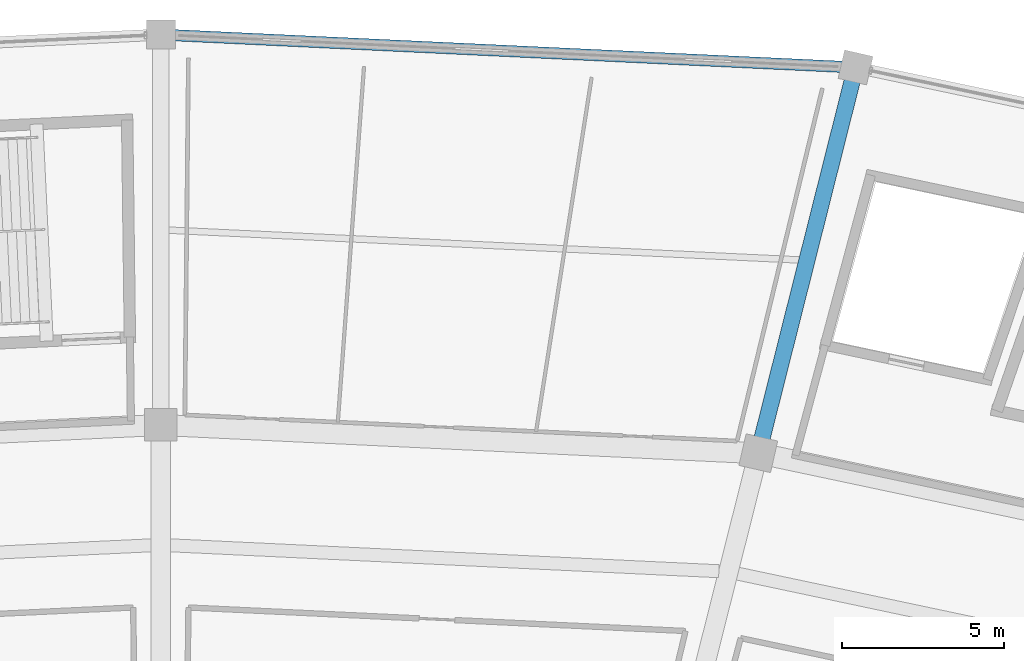
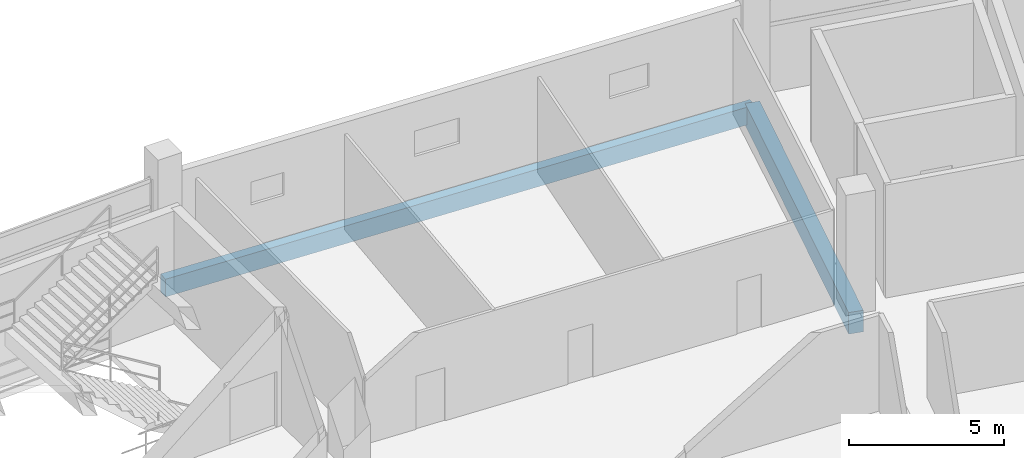
# One storey, part 108 of 171: 2 beams.
"""IFC4 building model written with IfcOpenShell, lengths in metres."""

from ifc_helpers import new_model, si_unit, direction, frame, origin, origin_2d, place, context, subcontext, project, spatial, rectangle, extrude, material, material_profile, profile_set, type_object, element, save


model = new_model("IFC4")

# Units and contexts
model_context = context("Model", 3, precision=1e-05, world=origin(), true_north=direction((0.0, 1.0)))
body_context = subcontext(model_context, "Body", "Model", "MODEL_VIEW")
ifc_project = project(units=[si_unit("LENGTHUNIT", "METRE"), si_unit("AREAUNIT", "SQUARE_METRE"), si_unit("VOLUMEUNIT", "CUBIC_METRE"), si_unit("PLANEANGLEUNIT", "RADIAN"), si_unit("MASSUNIT", "GRAM", prefix="KILO")], contexts=[model_context])

# Site, building, storey
site_placement = place(None, origin())
site = spatial("IfcSite", under=ifc_project, at=site_placement, CompositionType="ELEMENT")
building_placement = place(site_placement, origin())
building = spatial("IfcBuilding", under=site, at=building_placement, Name="Kazemori Nagisa Stadium", CompositionType="ELEMENT")
storey_placement = place(building_placement, frame((0.0, 0.0, 15.639892578125)))
storey = spatial("IfcBuildingStorey", under=building, at=storey_placement, Name="L03", CompositionType="ELEMENT", Elevation=15.639892578125)

# Beams
ifc_material = material(Name="Concrete C40/50 (Fc42)", Category="concrete")
ifc_material_profile_1 = material_profile(ifc_material, rectangle(XDim=0.5, YDim=0.85009765625, at=origin_2d()), Name="RC-BM-500x850")
ifc_profile_set_1 = profile_set([ifc_material_profile_1], Name="Concrete C40/50 (Fc42)")
beam_type_1 = type_object("IfcBeamType", Name="Beam_BG-RC500X850", PredefinedType="BEAM", material=ifc_profile_set_1)
beam_1_placement = place(storey_placement, frame((141.427734375, 175.088623046875, -0.684814453125), z_axis=(0.244487324834, 0.969652488263, 0.0), x_axis=(-0.969652488263, 0.244487324834, 0.0)))
element("IfcBeam", 1, at=beam_1_placement, inside=storey, type_object=beam_type_1, Name="Radial girder BG-RC500X850 L03 R2-R3-07", PredefinedType="BEAM", context=body_context, shape_type="SweptSolid", body=[
    extrude(rectangle(XDim=0.5, YDim=0.85009765625, at=origin_2d()), origin(), (0.0, 0.0, 1.0), 12.2705078125),
])
ifc_material_profile_2 = material_profile(ifc_material, rectangle(XDim=0.35009765625, YDim=0.699951171875, at=origin_2d()), Name="RC-SP-350x700")
ifc_profile_set_2 = profile_set([ifc_material_profile_2], Name="Concrete C40/50 (Fc42)")
beam_type_2 = type_object("IfcBeamType", Name="Beam_BS-RC350X700", PredefinedType="SPANDREL", material=ifc_profile_set_2)
beam_2_placement = place(storey_placement, frame((144.427734375, 186.98681640625, -0.60986328125), z_axis=(-0.998883994571, 0.047230979144, 0.0), x_axis=(-0.047230979144, -0.998883994571, 0.0)))
element("IfcBeam", 2, at=beam_2_placement, inside=storey, type_object=beam_type_2, Name="Ring girder BS-RC350X700 L03 R3-07", PredefinedType="SPANDREL", context=body_context, shape_type="SweptSolid", body=[
    extrude(rectangle(XDim=0.35009765625, YDim=0.699951171875, at=origin_2d()), origin(), (0.0, 0.0, 1.0), 21.45166015625),
])

save(model, "model.ifc")
